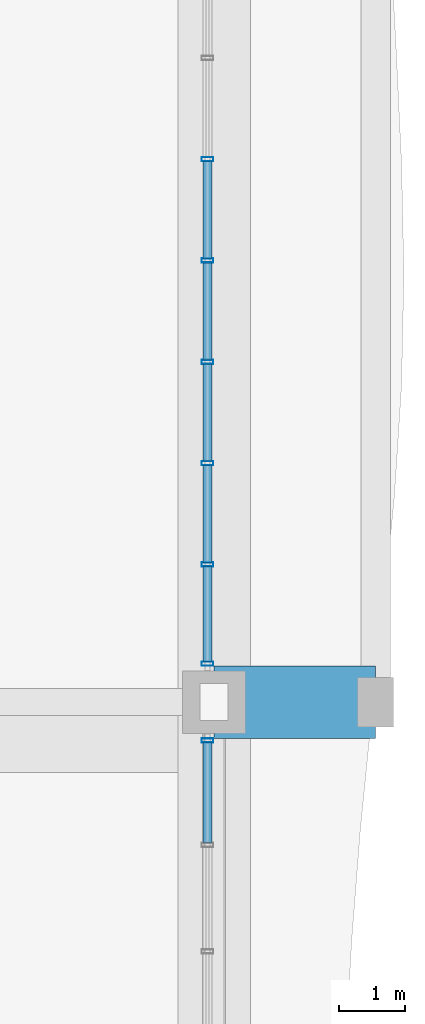
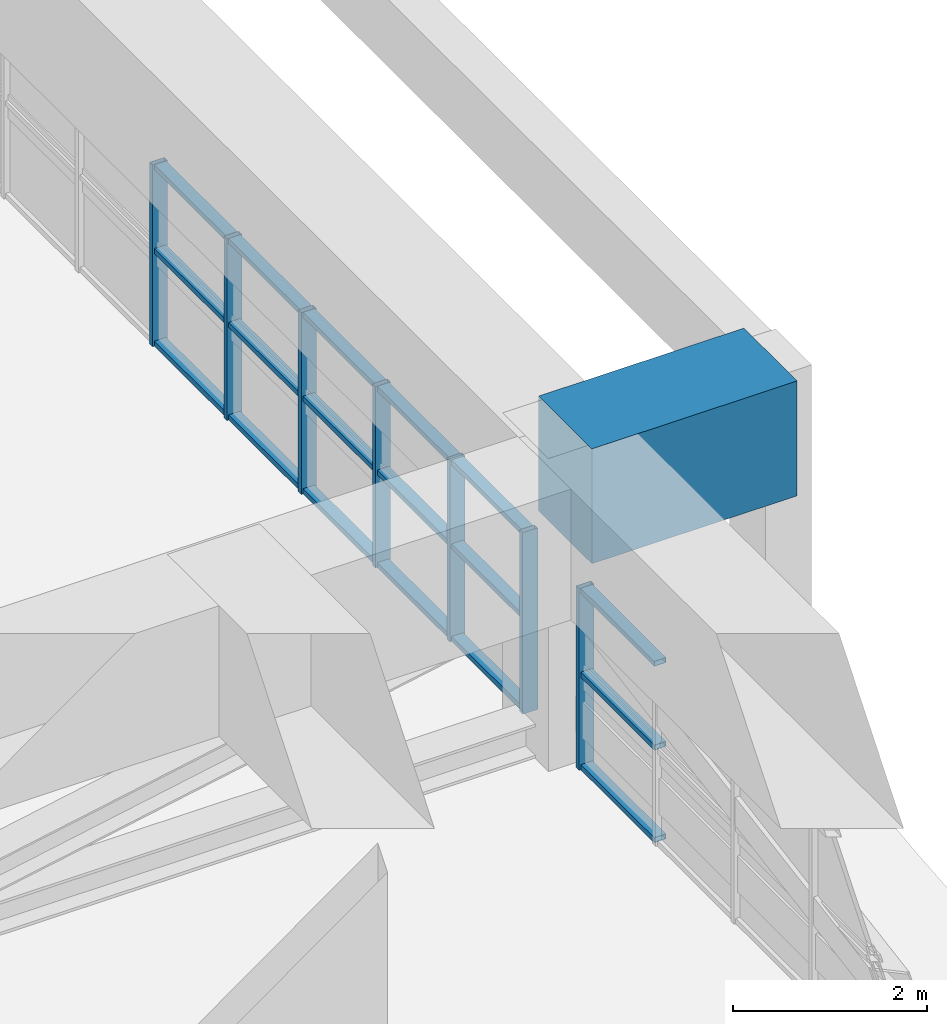
# One storey, part 15 of 35: 25 members, 1 beam, 2 elements without a shape of their own.
"""IFC4 building model written with IfcOpenShell, lengths in metres."""

import ifcopenshell
import ifcopenshell.guid

model = None  # the IFC model being written
_history = None  # IfcOwnerHistory: only IFC2X3 demands one
_inside = {}  # id of a spatial element -> (the spatial element, [elements in it])
_under = {}  # id of a project, library or spatial element -> (it, [spatial elements below it])
_declared = {}  # id of a project -> (the project, [libraries it declares])
_typed = {}  # id of a type object -> (the type object, [elements of that type])
_made_of = {}  # id of a material, layer set ... -> (it, [elements and type objects made of it])


def new_model(schema):
    """Start an empty IFC model of exactly this schema.

    Asked for "IFC4X3", IfcOpenShell would pick the latest addendum, in which some entities
    have other attributes; the version numbers below select the first issue.
    IFC2X3 requires an IfcOwnerHistory on every rooted entity: one is made here for all.
    """
    global model, _history
    if schema == "IFC4X3":
        model = ifcopenshell.file(schema_version=(4, 3, 0, 0))
    else:
        model = ifcopenshell.file(schema=schema)
    _inside.clear()
    _under.clear()
    _declared.clear()
    _typed.clear()
    _made_of.clear()
    _history = None
    if model.schema == "IFC2X3":
        org = make("IfcOrganization", Name="unknown")
        user = make(
            "IfcPersonAndOrganization",
            ThePerson=make("IfcPerson", FamilyName="unknown"),
            TheOrganization=org,
        )
        app = make(
            "IfcApplication",
            ApplicationDeveloper=org,
            Version="unknown",
            ApplicationFullName="unknown",
            ApplicationIdentifier="unknown",
        )
        _history = make(
            "IfcOwnerHistory",
            OwningUser=user,
            OwningApplication=app,
            ChangeAction="ADDED",
            CreationDate=0,
        )
    return model


def make(cls, **values):
    """One entity of the class cls with the attributes given. An attribute that is None is left unset."""
    return model.create_entity(
        cls, **{name: value for name, value in values.items() if value is not None}
    )


def rooted(cls, **values):
    """An entity with a GlobalId (a new one), such as an element, a storey or a relation."""
    return make(cls, GlobalId=ifcopenshell.guid.new(), OwnerHistory=_history, **values)


def si_unit(unit_type, name, prefix=None):
    """IfcSIUnit, for example si_unit("LENGTHUNIT", "METRE", prefix="MILLI")."""
    return make("IfcSIUnit", UnitType=unit_type, Prefix=prefix, Name=name)


def assignment(units):
    """IfcUnitAssignment: the units of a project."""
    return None if units is None else make("IfcUnitAssignment", Units=units)


def point(xyz):
    """IfcCartesianPoint."""
    return None if xyz is None else make("IfcCartesianPoint", Coordinates=xyz)


def direction(xyz):
    """IfcDirection."""
    return None if xyz is None else make("IfcDirection", DirectionRatios=xyz)


def frame(location, z_axis=None, x_axis=None):
    """IfcAxis2Placement3D, a coordinate frame: its origin and axes. An axis left out is left unset."""
    return make(
        "IfcAxis2Placement3D",
        Location=point(location),
        Axis=direction(z_axis),
        RefDirection=direction(x_axis),
    )


def frame_2d(location, x_axis=None):
    """IfcAxis2Placement2D, a coordinate frame in the plane: its origin and x axis."""
    return make(
        "IfcAxis2Placement2D", Location=point(location), RefDirection=direction(x_axis)
    )


def origin():
    """The frame at (0, 0, 0) with its axes left unset."""
    return frame((0.0, 0.0, 0.0))


def origin_2d():
    """The frame at (0, 0) in the plane with its x axis left unset."""
    return frame_2d((0.0, 0.0))


def place(relative_to, where):
    """IfcLocalPlacement: puts the frame where relative to a parent placement (None: the world)."""
    return make(
        "IfcLocalPlacement", PlacementRelTo=relative_to, RelativePlacement=where
    )


def context(
    kind, dimensions, precision=None, world=None, true_north=None, identifier=None
):
    """IfcGeometricRepresentationContext, for example the 3D "Model" context."""
    return make(
        "IfcGeometricRepresentationContext",
        ContextIdentifier=identifier,
        ContextType=kind,
        CoordinateSpaceDimension=dimensions,
        Precision=precision,
        WorldCoordinateSystem=world,
        TrueNorth=true_north,
    )


def subcontext(parent, identifier, kind, view, scale=None):
    """IfcGeometricRepresentationSubContext, for example "Body" below "Model"."""
    return make(
        "IfcGeometricRepresentationSubContext",
        ContextIdentifier=identifier,
        ContextType=kind,
        ParentContext=parent,
        TargetScale=scale,
        TargetView=view,
    )


def project(units=None, contexts=None):
    """IfcProject with its units and contexts."""
    return rooted(
        "IfcProject",
        Name="project",
        RepresentationContexts=contexts,
        UnitsInContext=assignment(units),
    )


def spatial(cls, under=None, at=None, **own):
    """A site, building, storey or space (cls), placed at a placement, below another one or the project."""
    s = rooted(cls, ObjectPlacement=at, **own)
    if under is not None:
        _under.setdefault(under.id(), (under, []))[1].append(s)
    return s


def profile(cls, at=None, kind="AREA", **sizes):
    """A parametric profile (cls). Its sizes go by their IFC names, for example OverallWidth=200.0."""
    return make(cls, ProfileType=kind, Position=at, **sizes)


def rectangle(**sizes):
    """IfcRectangleProfileDef."""
    return profile("IfcRectangleProfileDef", **sizes)


def hollow_rectangle(**sizes):
    """IfcRectangleHollowProfileDef."""
    return profile("IfcRectangleHollowProfileDef", **sizes)


def extrude(swept, where, along, depth):
    """IfcExtrudedAreaSolid: the profile swept, set in the frame where, extruded along a direction by depth."""
    return make(
        "IfcExtrudedAreaSolid",
        SweptArea=swept,
        Position=where,
        ExtrudedDirection=direction(along),
        Depth=depth,
    )


def shape(context_of_items, identifier, shape_type, items):
    """IfcShapeRepresentation: the items that make up one representation, for example the "Body"."""
    return make(
        "IfcShapeRepresentation",
        ContextOfItems=context_of_items,
        RepresentationIdentifier=identifier,
        RepresentationType=shape_type,
        Items=items,
    )


def source(mapping_origin, context_of_items, identifier, shape_type, items):
    """IfcRepresentationMap: a shape defined once, which mapped items show again and again."""
    return make(
        "IfcRepresentationMap",
        MappingOrigin=mapping_origin,
        MappedRepresentation=shape(context_of_items, identifier, shape_type, items),
    )


def transform(
    local_origin,
    x_axis=None,
    y_axis=None,
    z_axis=None,
    scale=None,
    scale2=None,
    scale3=None,
    uniform=True,
):
    """IfcCartesianTransformationOperator3D, or its non-uniform kind. x_axis, y_axis, z_axis: its Axis1, 2, 3."""
    if uniform:
        return make(
            "IfcCartesianTransformationOperator3D",
            Axis1=direction(x_axis),
            Axis2=direction(y_axis),
            LocalOrigin=point(local_origin),
            Scale=scale,
            Axis3=direction(z_axis),
        )
    return make(
        "IfcCartesianTransformationOperator3DnonUniform",
        Axis1=direction(x_axis),
        Axis2=direction(y_axis),
        LocalOrigin=point(local_origin),
        Scale=scale,
        Axis3=direction(z_axis),
        Scale2=scale2,
        Scale3=scale3,
    )


def mapped(mapping_source, mapping_target):
    """IfcMappedItem: shows the shape of a source again, moved by a transform."""
    return make(
        "IfcMappedItem", MappingSource=mapping_source, MappingTarget=mapping_target
    )


def material(Name=None, Category=None):
    """IfcMaterial."""
    return make("IfcMaterial", Name=Name, Category=Category)


def layer(
    of_material, thickness, ventilated=None, Name=None, Category=None, Priority=None
):
    """IfcMaterialLayer: one layer of a wall or slab, of a material (None: an air gap)."""
    return make(
        "IfcMaterialLayer",
        Material=of_material,
        LayerThickness=thickness,
        IsVentilated=ventilated,
        Name=Name,
        Category=Category,
        Priority=Priority,
    )


def layer_set(layers, Name=None):
    """IfcMaterialLayerSet."""
    return make("IfcMaterialLayerSet", MaterialLayers=layers, LayerSetName=Name)


def material_profile(
    of_material, cross_section, Name=None, Category=None, Priority=None
):
    """IfcMaterialProfile: a cross section and its material."""
    return make(
        "IfcMaterialProfile",
        Name=Name,
        Material=of_material,
        Profile=cross_section,
        Priority=Priority,
        Category=Category,
    )


def profile_set(profiles, Name=None, composite=None):
    """IfcMaterialProfileSet."""
    return make(
        "IfcMaterialProfileSet",
        Name=Name,
        MaterialProfiles=profiles,
        CompositeProfile=composite,
    )


def made_of(thing, what):
    """Note that an element or type object is made of a material, layer set ...; save() writes the relation."""
    if what is not None:
        _made_of.setdefault(what.id(), (what, []))[1].append(thing)
    return thing


def type_object(cls, material=None, **own):
    """A type object (cls), such as IfcWallType, which elements share."""
    return made_of(rooted(cls, **own), material)


def element(
    cls,
    number,
    at=None,
    inside=None,
    cuts=None,
    type_object=None,
    material=None,
    context=None,
    identifier="Body",
    shape_type=None,
    held_by="IfcProductDefinitionShape",
    body=None,
    shapes=None,
    **own,
):
    """One element of the class cls, such as IfcWall. Its Tag is "e" and its number.

    at: its placement. inside: the storey or other place that contains it. cuts: it is an
    opening in that element (IfcRelVoidsElement). A single representation is given by context,
    identifier, shape_type and body (its items); several are given by shapes. held_by: the class
    of the entity that holds the representations. save() writes the other relations.
    """
    e = rooted(cls, Tag="e%d" % number, ObjectPlacement=at, **own)
    if body is not None:
        shapes = [shape(context, identifier, shape_type, body)]
    if shapes is not None:
        e.Representation = make(held_by, Representations=shapes)
    if inside is not None:
        _inside.setdefault(inside.id(), (inside, []))[1].append(e)
    if cuts is not None:
        rooted(
            "IfcRelVoidsElement", RelatingBuildingElement=cuts, RelatedOpeningElement=e
        )
    if type_object is not None:
        _typed.setdefault(type_object.id(), (type_object, []))[1].append(e)
    return made_of(e, material)


def aggregate(whole, parts):
    """IfcRelAggregates: a whole, such as a stair, and the parts it consists of."""
    return rooted("IfcRelAggregates", RelatingObject=whole, RelatedObjects=parts)


def save(model, path):
    """Write the relations noted so far, then the file.

    IfcRelAggregates (storeys below a building ...), IfcRelContainedInSpatialStructure (elements
    in a storey), IfcRelDefinesByType, IfcRelAssociatesMaterial and IfcRelDeclares: one each for
    every whole, place, type object, material and project.
    """
    for whole, parts in _under.values():
        aggregate(whole, parts)
    for where, things in _inside.values():
        rooted(
            "IfcRelContainedInSpatialStructure",
            RelatedElements=things,
            RelatingStructure=where,
        )
    for kind, things in _typed.values():
        rooted("IfcRelDefinesByType", RelatedObjects=things, RelatingType=kind)
    for what, things in _made_of.values():
        rooted("IfcRelAssociatesMaterial", RelatedObjects=things, RelatingMaterial=what)
    for by, libraries in _declared.values():
        rooted("IfcRelDeclares", RelatingContext=by, RelatedDefinitions=libraries)
    model.write(path)


model = new_model("IFC4")

# Units and contexts
model_context = context("Model", 3, precision=1e-05, world=origin(), true_north=direction((0.0, 1.0)))
body_context = subcontext(model_context, "Body", "Model", "MODEL_VIEW")
ifc_project = project(units=[si_unit("LENGTHUNIT", "METRE"), si_unit("AREAUNIT", "SQUARE_METRE"), si_unit("VOLUMEUNIT", "CUBIC_METRE"), si_unit("PLANEANGLEUNIT", "RADIAN"), si_unit("MASSUNIT", "GRAM", prefix="KILO")], contexts=[model_context])

# Site, building, storey
site_placement = place(None, origin())
site = spatial("IfcSite", under=ifc_project, at=site_placement, CompositionType="ELEMENT")
building_placement = place(site_placement, origin())
building = spatial("IfcBuilding", under=site, at=building_placement, Name="Saelheon Loggia Tower", CompositionType="ELEMENT")
storey_placement = place(building_placement, frame((0.0, 0.0, 144.75)))
storey = spatial("IfcBuildingStorey", under=building, at=storey_placement, Name="L46", CompositionType="ELEMENT", Elevation=144.75)

# Beam
ifc_material_1 = material(Name="Concrete C50/60", Category="concrete")
ifc_material_profile_1 = material_profile(ifc_material_1, rectangle(XDim=1.10009765625, YDim=1.449951171875, at=origin_2d()), Name="RC-1100x1450")
ifc_profile_set_1 = profile_set([ifc_material_profile_1], Name="Concrete C50/60")
beam_type = type_object("IfcBeamType", Name="Beam_PerimTransfer_RC1100x1450", PredefinedType="BEAM", material=ifc_profile_set_1)
shared_shape_1 = source(origin(), body_context, "Body", "SweptSolid", [
    extrude(rectangle(XDim=1.10009765625, YDim=1.449951171875, at=origin_2d()), origin(), (0.0, 0.0, 1.0), 2.449951171875),
])
beam_placement = place(storey_placement, frame((64.0, 18.0, 3.22509765625), z_axis=(1.0, 0.0, 0.0), x_axis=(0.0, 1.0, 0.0)))
element("IfcBeam", 1, at=beam_placement, inside=storey, type_object=beam_type, Name="L46 Loggia Frame Tie Beam LP-E1", PredefinedType="BEAM", context=body_context, shape_type="MappedRepresentation", body=[
    mapped(shared_shape_1, transform((0.0, 0.0, 0.0), scale=1.0)),
])

# Curtain wall, member
ifc_material_2 = material(Name="Anodised Aluminium Acoustic Louvre Curtain Wall", Category="aluminium")
ifc_layer = layer(ifc_material_2, 0.179931640625)
ifc_layer_set = layer_set([ifc_layer], Name="Anodised Aluminium Acoustic Louvre Curtain Wall")
curtain_wall_type = type_object("IfcCurtainWallType", Name="CW_RefugeAcoustic", PredefinedType="NOTDEFINED", material=ifc_layer_set)
curtain_wall_1_placement = place(storey_placement, origin())
curtain_wall_1 = element("IfcCurtainWall", 2, at=curtain_wall_1_placement, inside=storey, type_object=curtain_wall_type, Name="L46 E Refuge Acoustic Curtain Wall 1", PredefinedType="NOTDEFINED")
ifc_material_3 = material(Name="Anodised Aluminium 6063-T6", Category="aluminium")
ifc_material_profile_2 = material_profile(ifc_material_3, hollow_rectangle(XDim=0.06494140625, YDim=0.179931640625, WallThickness=0.00390625, at=origin_2d()), Name="RHS-180x65x4")
ifc_profile_set_2 = profile_set([ifc_material_profile_2], Name="Anodised Aluminium 6063-T6")
member_type_1 = type_object("IfcMemberType", Name="CW_RefugeAcoustic_Mullion", PredefinedType="MULLION", material=ifc_profile_set_2)
shared_shape_2 = source(origin(), body_context, "Body", "SweptSolid", [
    extrude(hollow_rectangle(XDim=0.06494140625, YDim=0.179931640625, WallThickness=0.00390625, at=origin_2d()), origin(), (0.0, 0.0, 1.0), 2.2900390625),
])
member_1_placement = place(storey_placement, frame((63.89990234375, 17.41748046875, 0.0), z_axis=(0.0, 0.0, 1.0), x_axis=(0.0, 1.0, 0.0)))
member_1 = element("IfcMember", 3, at=member_1_placement, type_object=member_type_1, Name="CW5 mullion 7", PredefinedType="MULLION", context=body_context, shape_type="MappedRepresentation", body=[
    mapped(shared_shape_2, transform((0.0, 0.0, 0.0), scale=1.0)),
])

# Curtain wall, members
curtain_wall_2_placement = place(storey_placement, origin())
curtain_wall_2 = element("IfcCurtainWall", 4, at=curtain_wall_2_placement, inside=storey, type_object=curtain_wall_type, Name="L46 E Refuge Acoustic Curtain Wall 2", PredefinedType="NOTDEFINED")
member_2_placement = place(storey_placement, frame((63.89990234375, 18.58251953125, 0.0), z_axis=(0.0, 0.0, 1.0), x_axis=(0.0, 1.0, 0.0)))
member_2 = element("IfcMember", 5, at=member_2_placement, type_object=member_type_1, Name="CW5 mullion 1", PredefinedType="MULLION", context=body_context, shape_type="MappedRepresentation", body=[
    mapped(shared_shape_2, transform((0.0, 0.0, 0.0), scale=1.0)),
])
member_3_placement = place(storey_placement, frame((63.89990234375, 20.08642578125, 0.0), z_axis=(0.0, 0.0, 1.0), x_axis=(0.0, 1.0, 0.0)))
member_3 = element("IfcMember", 6, at=member_3_placement, type_object=member_type_1, Name="CW5 mullion 2", PredefinedType="MULLION", context=body_context, shape_type="MappedRepresentation", body=[
    mapped(shared_shape_2, transform((0.0, 0.0, 0.0), scale=1.0)),
])
member_4_placement = place(storey_placement, frame((63.89990234375, 21.622802734375, 0.0), z_axis=(0.0, 0.0, 1.0), x_axis=(0.0, 1.0, 0.0)))
member_4 = element("IfcMember", 7, at=member_4_placement, type_object=member_type_1, Name="CW5 mullion 3", PredefinedType="MULLION", context=body_context, shape_type="MappedRepresentation", body=[
    mapped(shared_shape_2, transform((0.0, 0.0, 0.0), scale=1.0)),
])
member_5_placement = place(storey_placement, frame((63.89990234375, 23.1591796875, 0.0), z_axis=(0.0, 0.0, 1.0), x_axis=(0.0, 1.0, 0.0)))
member_5 = element("IfcMember", 8, at=member_5_placement, type_object=member_type_1, Name="CW5 mullion 4", PredefinedType="MULLION", context=body_context, shape_type="MappedRepresentation", body=[
    mapped(shared_shape_2, transform((0.0, 0.0, 0.0), scale=1.0)),
])
member_6_placement = place(storey_placement, frame((63.89990234375, 24.695556640625, 0.0), z_axis=(0.0, 0.0, 1.0), x_axis=(0.0, 1.0, 0.0)))
member_6 = element("IfcMember", 9, at=member_6_placement, type_object=member_type_1, Name="CW5 mullion 5", PredefinedType="MULLION", context=body_context, shape_type="MappedRepresentation", body=[
    mapped(shared_shape_2, transform((0.0, 0.0, 0.0), scale=1.0)),
])
member_7_placement = place(storey_placement, frame((63.89990234375, 26.23193359375, 0.0), z_axis=(0.0, 0.0, 1.0), x_axis=(0.0, 1.0, 0.0)))
member_7 = element("IfcMember", 10, at=member_7_placement, type_object=member_type_1, Name="CW5 mullion 6", PredefinedType="MULLION", context=body_context, shape_type="MappedRepresentation", body=[
    mapped(shared_shape_2, transform((0.0, 0.0, 0.0), scale=1.0)),
])
ifc_material_profile_3 = material_profile(ifc_material_3, hollow_rectangle(XDim=0.06494140625, YDim=0.139892578125, WallThickness=0.00390625, at=origin_2d()), Name="RHS-140x65x4")
ifc_profile_set_3 = profile_set([ifc_material_profile_3], Name="Anodised Aluminium 6063-T6")
member_type_2 = type_object("IfcMemberType", Name="CW_RefugeAcoustic_Transom", PredefinedType="USERDEFINED", material=ifc_profile_set_3)
shared_shape_3 = source(origin(), body_context, "Body", "SweptSolid", [
    extrude(hollow_rectangle(XDim=0.06494140625, YDim=0.139892578125, WallThickness=0.00390625, at=origin_2d()), origin(), (0.0, 0.0, 1.0), 1.43896484375),
])
member_8_placement = place(storey_placement, frame((63.89990234375, 18.614990234375, 0.032470703125), z_axis=(0.0, 1.0, 0.0), x_axis=(0.0, 0.0, 1.0)))
member_8 = element("IfcMember", 11, at=member_8_placement, type_object=member_type_2, Name="CW5 transom 1.1", ObjectType="TRANSOM", PredefinedType="USERDEFINED", context=body_context, shape_type="MappedRepresentation", body=[
    mapped(shared_shape_3, transform((0.0, 0.0, 0.0), scale=1.0)),
])
member_9_placement = place(storey_placement, frame((63.89990234375, 18.614990234375, 1.199951171875), z_axis=(0.0, 1.0, 0.0), x_axis=(0.0, 0.0, 1.0)))
member_9 = element("IfcMember", 12, at=member_9_placement, type_object=member_type_2, Name="CW5 transom 1.2", ObjectType="TRANSOM", PredefinedType="USERDEFINED", context=body_context, shape_type="MappedRepresentation", body=[
    mapped(shared_shape_3, transform((0.0, 0.0, 0.0), scale=1.0)),
])
member_10_placement = place(storey_placement, frame((63.89990234375, 18.614990234375, 2.257568359375), z_axis=(0.0, 1.0, 0.0), x_axis=(0.0, 0.0, 1.0)))
member_10 = element("IfcMember", 13, at=member_10_placement, type_object=member_type_2, Name="CW5 transom 1.3", ObjectType="TRANSOM", PredefinedType="USERDEFINED", context=body_context, shape_type="MappedRepresentation", body=[
    mapped(shared_shape_3, transform((0.0, 0.0, 0.0), scale=1.0)),
])
shared_shape_4 = source(origin(), body_context, "Body", "SweptSolid", [
    extrude(hollow_rectangle(XDim=0.06494140625, YDim=0.139892578125, WallThickness=0.00390625, at=origin_2d()), origin(), (0.0, 0.0, 1.0), 1.471435546875),
])
member_11_placement = place(storey_placement, frame((63.89990234375, 20.118896484375, 0.032470703125), z_axis=(0.0, 1.0, 0.0), x_axis=(0.0, 0.0, 1.0)))
member_11 = element("IfcMember", 14, at=member_11_placement, type_object=member_type_2, Name="CW5 transom 2.1", ObjectType="TRANSOM", PredefinedType="USERDEFINED", context=body_context, shape_type="MappedRepresentation", body=[
    mapped(shared_shape_4, transform((0.0, 0.0, 0.0), scale=1.0)),
])
member_12_placement = place(storey_placement, frame((63.89990234375, 20.118896484375, 1.199951171875), z_axis=(0.0, 1.0, 0.0), x_axis=(0.0, 0.0, 1.0)))
member_12 = element("IfcMember", 15, at=member_12_placement, type_object=member_type_2, Name="CW5 transom 2.2", ObjectType="TRANSOM", PredefinedType="USERDEFINED", context=body_context, shape_type="MappedRepresentation", body=[
    mapped(shared_shape_4, transform((0.0, 0.0, 0.0), scale=1.0)),
])
member_13_placement = place(storey_placement, frame((63.89990234375, 20.118896484375, 2.257568359375), z_axis=(0.0, 1.0, 0.0), x_axis=(0.0, 0.0, 1.0)))
member_13 = element("IfcMember", 16, at=member_13_placement, type_object=member_type_2, Name="CW5 transom 2.3", ObjectType="TRANSOM", PredefinedType="USERDEFINED", context=body_context, shape_type="MappedRepresentation", body=[
    mapped(shared_shape_4, transform((0.0, 0.0, 0.0), scale=1.0)),
])
member_14_placement = place(storey_placement, frame((63.89990234375, 21.6552734375, 0.032470703125), z_axis=(0.0, 1.0, 0.0), x_axis=(0.0, 0.0, 1.0)))
member_14 = element("IfcMember", 17, at=member_14_placement, type_object=member_type_2, Name="CW5 transom 3.1", ObjectType="TRANSOM", PredefinedType="USERDEFINED", context=body_context, shape_type="MappedRepresentation", body=[
    mapped(shared_shape_4, transform((0.0, 0.0, 0.0), scale=1.0)),
])
member_15_placement = place(storey_placement, frame((63.89990234375, 21.6552734375, 1.199951171875), z_axis=(0.0, 1.0, 0.0), x_axis=(0.0, 0.0, 1.0)))
member_15 = element("IfcMember", 18, at=member_15_placement, type_object=member_type_2, Name="CW5 transom 3.2", ObjectType="TRANSOM", PredefinedType="USERDEFINED", context=body_context, shape_type="MappedRepresentation", body=[
    mapped(shared_shape_4, transform((0.0, 0.0, 0.0), scale=1.0)),
])
member_16_placement = place(storey_placement, frame((63.89990234375, 21.6552734375, 2.257568359375), z_axis=(0.0, 1.0, 0.0), x_axis=(0.0, 0.0, 1.0)))
member_16 = element("IfcMember", 19, at=member_16_placement, type_object=member_type_2, Name="CW5 transom 3.3", ObjectType="TRANSOM", PredefinedType="USERDEFINED", context=body_context, shape_type="MappedRepresentation", body=[
    mapped(shared_shape_4, transform((0.0, 0.0, 0.0), scale=1.0)),
])
shared_shape_5 = source(origin(), body_context, "Body", "SweptSolid", [
    extrude(hollow_rectangle(XDim=0.06494140625, YDim=0.139892578125, WallThickness=0.00390625, at=origin_2d()), origin(), (0.0, 0.0, 1.0), 1.47119140625),
])
member_17_placement = place(storey_placement, frame((63.89990234375, 23.191650390625, 0.032470703125), z_axis=(0.0, 1.0, 0.0), x_axis=(0.0, 0.0, 1.0)))
member_17 = element("IfcMember", 20, at=member_17_placement, type_object=member_type_2, Name="CW5 transom 4.1", ObjectType="TRANSOM", PredefinedType="USERDEFINED", context=body_context, shape_type="MappedRepresentation", body=[
    mapped(shared_shape_5, transform((0.0, 0.0, 0.0), scale=1.0)),
])
member_18_placement = place(storey_placement, frame((63.89990234375, 23.191650390625, 1.199951171875), z_axis=(0.0, 1.0, 0.0), x_axis=(0.0, 0.0, 1.0)))
member_18 = element("IfcMember", 21, at=member_18_placement, type_object=member_type_2, Name="CW5 transom 4.2", ObjectType="TRANSOM", PredefinedType="USERDEFINED", context=body_context, shape_type="MappedRepresentation", body=[
    mapped(shared_shape_5, transform((0.0, 0.0, 0.0), scale=1.0)),
])
member_19_placement = place(storey_placement, frame((63.89990234375, 23.191650390625, 2.257568359375), z_axis=(0.0, 1.0, 0.0), x_axis=(0.0, 0.0, 1.0)))
member_19 = element("IfcMember", 22, at=member_19_placement, type_object=member_type_2, Name="CW5 transom 4.3", ObjectType="TRANSOM", PredefinedType="USERDEFINED", context=body_context, shape_type="MappedRepresentation", body=[
    mapped(shared_shape_5, transform((0.0, 0.0, 0.0), scale=1.0)),
])
member_20_placement = place(storey_placement, frame((63.89990234375, 24.72802734375, 0.032470703125), z_axis=(0.0, 1.0, 0.0), x_axis=(0.0, 0.0, 1.0)))
member_20 = element("IfcMember", 23, at=member_20_placement, type_object=member_type_2, Name="CW5 transom 5.1", ObjectType="TRANSOM", PredefinedType="USERDEFINED", context=body_context, shape_type="MappedRepresentation", body=[
    mapped(shared_shape_5, transform((0.0, 0.0, 0.0), scale=1.0)),
])
member_21_placement = place(storey_placement, frame((63.89990234375, 24.72802734375, 1.199951171875), z_axis=(0.0, 1.0, 0.0), x_axis=(0.0, 0.0, 1.0)))
member_21 = element("IfcMember", 24, at=member_21_placement, type_object=member_type_2, Name="CW5 transom 5.2", ObjectType="TRANSOM", PredefinedType="USERDEFINED", context=body_context, shape_type="MappedRepresentation", body=[
    mapped(shared_shape_5, transform((0.0, 0.0, 0.0), scale=1.0)),
])
member_22_placement = place(storey_placement, frame((63.89990234375, 24.72802734375, 2.257568359375), z_axis=(0.0, 1.0, 0.0), x_axis=(0.0, 0.0, 1.0)))
member_22 = element("IfcMember", 25, at=member_22_placement, type_object=member_type_2, Name="CW5 transom 5.3", ObjectType="TRANSOM", PredefinedType="USERDEFINED", context=body_context, shape_type="MappedRepresentation", body=[
    mapped(shared_shape_5, transform((0.0, 0.0, 0.0), scale=1.0)),
])
aggregate(curtain_wall_2, [member_2, member_3, member_4, member_5, member_6, member_7, member_8, member_9, member_10, member_11, member_12, member_13, member_14, member_15, member_16, member_17, member_18, member_19, member_20, member_21, member_22])

# Member
shared_shape_6 = source(origin(), body_context, "Body", "SweptSolid", [
    extrude(hollow_rectangle(XDim=0.06494140625, YDim=0.139892578125, WallThickness=0.00390625, at=origin_2d()), origin(), (0.0, 0.0, 1.0), 1.519287109375),
])
member_23_placement = place(storey_placement, frame((63.89990234375, 15.86572265625, 0.032470703125), z_axis=(0.0, 1.0, 0.0), x_axis=(0.0, 0.0, 1.0)))
member_23 = element("IfcMember", 26, at=member_23_placement, type_object=member_type_2, Name="CW5 transom 6.1", ObjectType="TRANSOM", PredefinedType="USERDEFINED", context=body_context, shape_type="MappedRepresentation", body=[
    mapped(shared_shape_6, transform((0.0, 0.0, 0.0), scale=1.0)),
])

member_24_placement = place(storey_placement, frame((63.89990234375, 15.86572265625, 1.199951171875), z_axis=(0.0, 1.0, 0.0), x_axis=(0.0, 0.0, 1.0)))
member_24 = element("IfcMember", 27, at=member_24_placement, type_object=member_type_2, Name="CW5 transom 6.2", ObjectType="TRANSOM", PredefinedType="USERDEFINED", context=body_context, shape_type="MappedRepresentation", body=[
    mapped(shared_shape_6, transform((0.0, 0.0, 0.0), scale=1.0)),
])

member_25_placement = place(storey_placement, frame((63.89990234375, 15.86572265625, 2.257568359375), z_axis=(0.0, 1.0, 0.0), x_axis=(0.0, 0.0, 1.0)))
member_25 = element("IfcMember", 28, at=member_25_placement, type_object=member_type_2, Name="CW5 transom 6.3", ObjectType="TRANSOM", PredefinedType="USERDEFINED", context=body_context, shape_type="MappedRepresentation", body=[
    mapped(shared_shape_6, transform((0.0, 0.0, 0.0), scale=1.0)),
])

aggregate(curtain_wall_1, [member_1, member_23, member_24, member_25])

save(model, "model.ifc")
